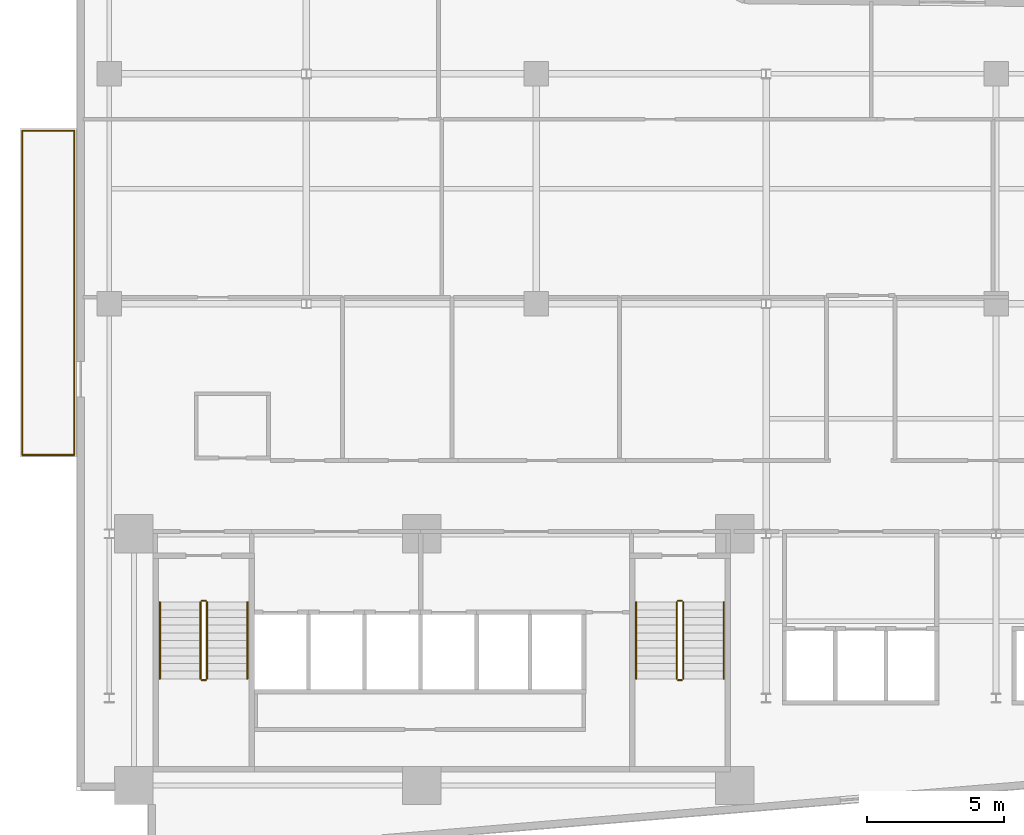
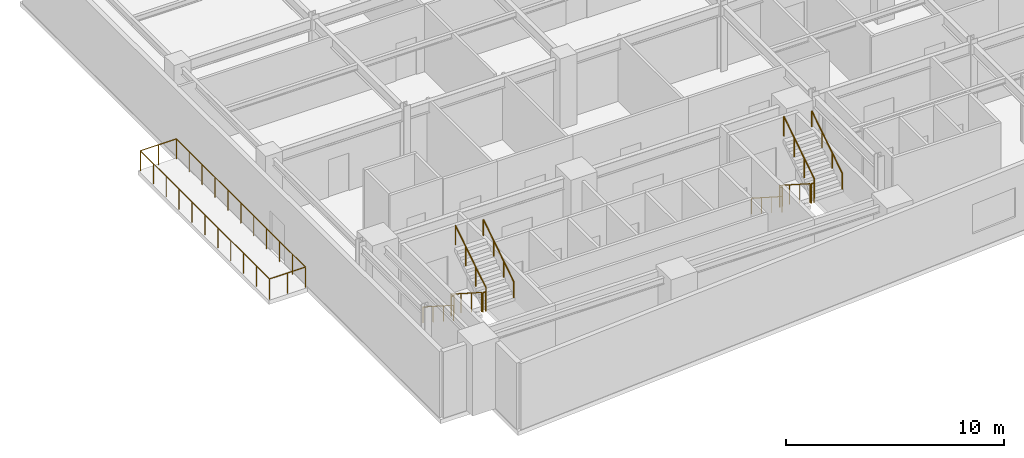
# One storey, part 17 of 20: 16 railings.
"""IFC4 building model written with IfcOpenShell, lengths in metres."""

from ifc_helpers import new_model, si_unit, direction, frame, origin, origin_2d, place, context, subcontext, project, spatial, circle, extrude, material, type_object, element, save


model = new_model("IFC4")

# Units and contexts
model_context = context("Model", 3, precision=1e-05, world=origin(), true_north=direction((0.0, 1.0)))
body_context = subcontext(model_context, "Body", "Model", "MODEL_VIEW")
ifc_project = project(units=[si_unit("LENGTHUNIT", "METRE"), si_unit("AREAUNIT", "SQUARE_METRE"), si_unit("VOLUMEUNIT", "CUBIC_METRE"), si_unit("PLANEANGLEUNIT", "RADIAN"), si_unit("MASSUNIT", "GRAM", prefix="KILO")], contexts=[model_context])

# Site, building, storey
site_placement = place(None, origin())
site = spatial("IfcSite", under=ifc_project, at=site_placement, CompositionType="ELEMENT")
building_placement = place(site_placement, origin())
building = spatial("IfcBuilding", under=site, at=building_placement, Name="Varnakote Quay Hospital", CompositionType="ELEMENT")
storey_placement = place(building_placement, frame((0.0, 0.0, 46.199951171875)))
storey = spatial("IfcBuildingStorey", under=building, at=storey_placement, Name="L11", CompositionType="ELEMENT", Elevation=46.199951171875)

# Railings
ifc_material_1 = material(Name="Anodised aluminium 6063-T6 Bronze", Category="aluminium")
railing_type_1 = type_object("IfcRailingType", Name="RLG-EXT-GUARD-1150", PredefinedType="GUARDRAIL", material=ifc_material_1)
railing_1_placement = place(storey_placement, frame((-0.075927734375, 14.8798828125, 0.0)))
element("IfcRailing", 1, at=railing_1_placement, inside=storey, type_object=railing_type_1, Name="L11 Zigzag Prow Healing Terrace Safety Guard", PredefinedType="GUARDRAIL", context=body_context, shape_type="SweptSolid", body=[
    extrude(circle(Radius=0.02392578125, at=origin_2d()), frame((0.0, 0.0, 1.1259765625), z_axis=(-1.0, 0.0, 0.0), x_axis=(0.0, -1.0, 0.0)), (0.0, 0.0, 1.0), 1.904052734375),
    extrude(circle(Radius=0.02099609375, at=origin_2d()), origin(), (0.0, 0.0, 1.0), 1.101806640625),
    extrude(circle(Radius=0.02099609375, at=origin_2d()), frame((-0.9521484375, 0.0, 0.0)), (0.0, 0.0, 1.0), 1.101806640625),
    extrude(circle(Radius=0.02099609375, at=origin_2d()), frame((-1.904052734375, 0.0, 0.0)), (0.0, 0.0, 1.0), 1.101806640625),
])
railing_2_placement = place(storey_placement, frame((-1.97998046875, 14.8798828125, 0.0)))
element("IfcRailing", 2, at=railing_2_placement, inside=storey, type_object=railing_type_1, Name="L11 Zigzag Prow Healing Terrace Safety Guard", PredefinedType="GUARDRAIL", context=body_context, shape_type="SweptSolid", body=[
    extrude(circle(Radius=0.02392578125, at=origin_2d()), frame((0.0, 0.0, 1.1259765625), z_axis=(0.0, 1.0, 0.0), x_axis=(-1.0, 0.0, 0.0)), (0.0, 0.0, 1.0), 11.840087890625),
    extrude(circle(Radius=0.02099609375, at=origin_2d()), origin(), (0.0, 0.0, 1.0), 1.101806640625),
    extrude(circle(Radius=0.02099609375, at=origin_2d()), frame((0.0, 1.18408203125, 0.0)), (0.0, 0.0, 1.0), 1.101806640625),
    extrude(circle(Radius=0.02099609375, at=origin_2d()), frame((0.0, 2.367919921875, 0.0)), (0.0, 0.0, 1.0), 1.101806640625),
    extrude(circle(Radius=0.02099609375, at=origin_2d()), frame((0.0, 3.552001953125, 0.0)), (0.0, 0.0, 1.0), 1.101806640625),
    extrude(circle(Radius=0.02099609375, at=origin_2d()), frame((0.0, 4.736083984375, 0.0)), (0.0, 0.0, 1.0), 1.101806640625),
    extrude(circle(Radius=0.02099609375, at=origin_2d()), frame((0.0, 5.919921875, 0.0)), (0.0, 0.0, 1.0), 1.101806640625),
    extrude(circle(Radius=0.02099609375, at=origin_2d()), frame((0.0, 7.10400390625, 0.0)), (0.0, 0.0, 1.0), 1.101806640625),
    extrude(circle(Radius=0.02099609375, at=origin_2d()), frame((0.0, 8.2880859375, 0.0)), (0.0, 0.0, 1.0), 1.101806640625),
    extrude(circle(Radius=0.02099609375, at=origin_2d()), frame((0.0, 9.47216796875, 0.0)), (0.0, 0.0, 1.0), 1.101806640625),
    extrude(circle(Radius=0.02099609375, at=origin_2d()), frame((0.0, 10.656005859375, 0.0)), (0.0, 0.0, 1.0), 1.101806640625),
    extrude(circle(Radius=0.02099609375, at=origin_2d()), frame((0.0, 11.840087890625, 0.0)), (0.0, 0.0, 1.0), 1.101806640625),
])
railing_3_placement = place(storey_placement, frame((-1.97998046875, 26.719970703125, 0.0)))
element("IfcRailing", 3, at=railing_3_placement, inside=storey, type_object=railing_type_1, Name="L11 Zigzag Prow Healing Terrace Safety Guard", PredefinedType="GUARDRAIL", context=body_context, shape_type="SweptSolid", body=[
    extrude(circle(Radius=0.02392578125, at=origin_2d()), frame((0.0, 0.0, 1.1259765625), z_axis=(1.0, 0.0, 0.0), x_axis=(0.0, 1.0, 0.0)), (0.0, 0.0, 1.0), 1.904052734375),
    extrude(circle(Radius=0.02099609375, at=origin_2d()), origin(), (0.0, 0.0, 1.0), 1.101806640625),
    extrude(circle(Radius=0.02099609375, at=origin_2d()), frame((0.9521484375, 0.0, 0.0)), (0.0, 0.0, 1.0), 1.101806640625),
    extrude(circle(Radius=0.02099609375, at=origin_2d()), frame((1.904052734375, 0.0, 0.0)), (0.0, 0.0, 1.0), 1.101806640625),
])
railing_4_placement = place(storey_placement, frame((-0.075927734375, 26.719970703125, 0.0)))
element("IfcRailing", 4, at=railing_4_placement, inside=storey, type_object=railing_type_1, Name="L11 Zigzag Prow Healing Terrace Safety Guard", PredefinedType="GUARDRAIL", context=body_context, shape_type="SweptSolid", body=[
    extrude(circle(Radius=0.02392578125, at=origin_2d()), frame((0.0, 0.0, 1.1259765625), z_axis=(0.0, -1.0, 0.0), x_axis=(1.0, 0.0, 0.0)), (0.0, 0.0, 1.0), 11.840087890625),
    extrude(circle(Radius=0.02099609375, at=origin_2d()), origin(), (0.0, 0.0, 1.0), 1.101806640625),
    extrude(circle(Radius=0.02099609375, at=origin_2d()), frame((0.0, -1.18408203125, 0.0)), (0.0, 0.0, 1.0), 1.101806640625),
    extrude(circle(Radius=0.02099609375, at=origin_2d()), frame((0.0, -2.367919921875, 0.0)), (0.0, 0.0, 1.0), 1.101806640625),
    extrude(circle(Radius=0.02099609375, at=origin_2d()), frame((0.0, -3.552001953125, 0.0)), (0.0, 0.0, 1.0), 1.101806640625),
    extrude(circle(Radius=0.02099609375, at=origin_2d()), frame((0.0, -4.736083984375, 0.0)), (0.0, 0.0, 1.0), 1.101806640625),
    extrude(circle(Radius=0.02099609375, at=origin_2d()), frame((0.0, -5.919921875, 0.0)), (0.0, 0.0, 1.0), 1.101806640625),
    extrude(circle(Radius=0.02099609375, at=origin_2d()), frame((0.0, -7.10400390625, 0.0)), (0.0, 0.0, 1.0), 1.101806640625),
    extrude(circle(Radius=0.02099609375, at=origin_2d()), frame((0.0, -8.2880859375, 0.0)), (0.0, 0.0, 1.0), 1.101806640625),
    extrude(circle(Radius=0.02099609375, at=origin_2d()), frame((0.0, -9.47216796875, 0.0)), (0.0, 0.0, 1.0), 1.101806640625),
    extrude(circle(Radius=0.02099609375, at=origin_2d()), frame((0.0, -10.656005859375, 0.0)), (0.0, 0.0, 1.0), 1.101806640625),
    extrude(circle(Radius=0.02099609375, at=origin_2d()), frame((0.0, -11.840087890625, 0.0)), (0.0, 0.0, 1.0), 1.101806640625),
])
ifc_material_2 = material(Name="Brushed stainless steel balustrade", Category="steel")
railing_type_2 = type_object("IfcRailingType", Name="RLG-STAIR-GUARD-1150", PredefinedType="GUARDRAIL", material=ifc_material_2)
railing_5_placement = place(storey_placement, frame((4.530029296875, 9.5, 0.1796875)))
element("IfcRailing", 5, at=railing_5_placement, inside=storey, type_object=railing_type_2, Name="L11 ST-01 stair guard 1", PredefinedType="GUARDRAIL", context=body_context, shape_type="SweptSolid", body=[
    extrude(circle(Radius=0.02392578125, at=origin_2d()), frame((0.0, 0.0, 1.076171875), z_axis=(0.0, -0.841809871826, 0.539774156196), x_axis=(1.0, 0.0, 0.0)), (0.0, 0.0, 1.0), 3.326171875),
    extrude(circle(Radius=0.02099609375, at=origin_2d()), origin(), (0.0, 0.0, 1.0), 1.052001953125),
    extrude(circle(Radius=0.02099609375, at=origin_2d()), frame((0.0, -0.933349609375, 0.598388671875)), (0.0, 0.0, 1.0), 1.052001953125),
    extrude(circle(Radius=0.02099609375, at=origin_2d()), frame((0.0, -1.86669921875, 1.197021484375)), (0.0, 0.0, 1.0), 1.052001953125),
    extrude(circle(Radius=0.02099609375, at=origin_2d()), frame((0.0, -2.800048828125, 1.79541015625)), (0.0, 0.0, 1.0), 1.052001953125),
])
railing_6_placement = place(storey_placement, frame((4.580078125, 6.64990234375, 1.97509765625)))
element("IfcRailing", 6, at=railing_6_placement, inside=storey, type_object=railing_type_2, Name="L11 ST-01 stair guard 2", PredefinedType="GUARDRAIL", context=body_context, shape_type="SweptSolid", body=[
    extrude(circle(Radius=0.02392578125, at=origin_2d()), frame((0.0, 0.0, 1.076171875), z_axis=(1.0, 0.0, 0.0), x_axis=(0.0, 1.0, 0.0)), (0.0, 0.0, 1.0), 0.139892578125),
    extrude(circle(Radius=0.02099609375, at=origin_2d()), origin(), (0.0, 0.0, 1.0), 1.052001953125),
    extrude(circle(Radius=0.02099609375, at=origin_2d()), frame((0.139892578125, 0.0, 0.0)), (0.0, 0.0, 1.0), 1.052001953125),
])
railing_7_placement = place(storey_placement, frame((4.77001953125, 6.699951171875, 2.154541015625)))
element("IfcRailing", 7, at=railing_7_placement, inside=storey, type_object=railing_type_2, Name="L11 ST-01 stair guard 3", PredefinedType="GUARDRAIL", context=body_context, shape_type="SweptSolid", body=[
    extrude(circle(Radius=0.02392578125, at=origin_2d()), frame((0.0, 0.0, 1.076171875), z_axis=(0.0, 0.841809871826, 0.539774156196), x_axis=(-1.0, 0.0, 0.0)), (0.0, 0.0, 1.0), 3.326171875),
    extrude(circle(Radius=0.02099609375, at=origin_2d()), origin(), (0.0, 0.0, 1.0), 1.052001953125),
    extrude(circle(Radius=0.02099609375, at=origin_2d()), frame((0.0, 0.933349609375, 0.598388671875)), (0.0, 0.0, 1.0), 1.052001953125),
    extrude(circle(Radius=0.02099609375, at=origin_2d()), frame((0.0, 1.86669921875, 1.197021484375)), (0.0, 0.0, 1.0), 1.052001953125),
    extrude(circle(Radius=0.02099609375, at=origin_2d()), frame((0.0, 2.800048828125, 1.79541015625)), (0.0, 0.0, 1.0), 1.052001953125),
])
railing_8_placement = place(storey_placement, frame((4.580078125, 9.550048828125, 0.0)))
element("IfcRailing", 8, at=railing_8_placement, inside=storey, type_object=railing_type_2, Name="L11 ST-01 stair guard 4", PredefinedType="GUARDRAIL", context=body_context, shape_type="SweptSolid", body=[
    extrude(circle(Radius=0.02392578125, at=origin_2d()), frame((0.0, 0.0, 1.076171875), z_axis=(1.0, 0.0, 0.0), x_axis=(0.0, 1.0, 0.0)), (0.0, 0.0, 1.0), 0.139892578125),
    extrude(circle(Radius=0.02099609375, at=origin_2d()), origin(), (0.0, 0.0, 1.0), 1.052001953125),
    extrude(circle(Radius=0.02099609375, at=origin_2d()), frame((0.139892578125, 0.0, 0.0)), (0.0, 0.0, 1.0), 1.052001953125),
])
railing_9_placement = place(storey_placement, frame((21.929931640625, 9.5, 0.1796875)))
element("IfcRailing", 9, at=railing_9_placement, inside=storey, type_object=railing_type_2, Name="L11 ST-02 stair guard 1", PredefinedType="GUARDRAIL", context=body_context, shape_type="SweptSolid", body=[
    extrude(circle(Radius=0.02392578125, at=origin_2d()), frame((0.0, 0.0, 1.076171875), z_axis=(0.0, -0.841809871826, 0.539774156196), x_axis=(1.0, 0.0, 0.0)), (0.0, 0.0, 1.0), 3.326171875),
    extrude(circle(Radius=0.02099609375, at=origin_2d()), origin(), (0.0, 0.0, 1.0), 1.052001953125),
    extrude(circle(Radius=0.02099609375, at=origin_2d()), frame((0.0, -0.933349609375, 0.598388671875)), (0.0, 0.0, 1.0), 1.052001953125),
    extrude(circle(Radius=0.02099609375, at=origin_2d()), frame((0.0, -1.86669921875, 1.197021484375)), (0.0, 0.0, 1.0), 1.052001953125),
    extrude(circle(Radius=0.02099609375, at=origin_2d()), frame((0.0, -2.800048828125, 1.79541015625)), (0.0, 0.0, 1.0), 1.052001953125),
])
railing_10_placement = place(storey_placement, frame((21.97998046875, 6.64990234375, 1.97509765625)))
element("IfcRailing", 10, at=railing_10_placement, inside=storey, type_object=railing_type_2, Name="L11 ST-02 stair guard 2", PredefinedType="GUARDRAIL", context=body_context, shape_type="SweptSolid", body=[
    extrude(circle(Radius=0.02392578125, at=origin_2d()), frame((0.0, 0.0, 1.076171875), z_axis=(1.0, 0.0, 0.0), x_axis=(0.0, 1.0, 0.0)), (0.0, 0.0, 1.0), 0.14013671875),
    extrude(circle(Radius=0.02099609375, at=origin_2d()), origin(), (0.0, 0.0, 1.0), 1.052001953125),
    extrude(circle(Radius=0.02099609375, at=origin_2d()), frame((0.14013671875, 0.0, 0.0)), (0.0, 0.0, 1.0), 1.052001953125),
])
railing_11_placement = place(storey_placement, frame((22.169921875, 6.699951171875, 2.154541015625)))
element("IfcRailing", 11, at=railing_11_placement, inside=storey, type_object=railing_type_2, Name="L11 ST-02 stair guard 3", PredefinedType="GUARDRAIL", context=body_context, shape_type="SweptSolid", body=[
    extrude(circle(Radius=0.02392578125, at=origin_2d()), frame((0.0, 0.0, 1.076171875), z_axis=(0.0, 0.841809871826, 0.539774156196), x_axis=(-1.0, 0.0, 0.0)), (0.0, 0.0, 1.0), 3.326171875),
    extrude(circle(Radius=0.02099609375, at=origin_2d()), origin(), (0.0, 0.0, 1.0), 1.052001953125),
    extrude(circle(Radius=0.02099609375, at=origin_2d()), frame((0.0, 0.933349609375, 0.598388671875)), (0.0, 0.0, 1.0), 1.052001953125),
    extrude(circle(Radius=0.02099609375, at=origin_2d()), frame((0.0, 1.86669921875, 1.197021484375)), (0.0, 0.0, 1.0), 1.052001953125),
    extrude(circle(Radius=0.02099609375, at=origin_2d()), frame((0.0, 2.800048828125, 1.79541015625)), (0.0, 0.0, 1.0), 1.052001953125),
])
railing_12_placement = place(storey_placement, frame((21.97998046875, 9.550048828125, 0.0)))
element("IfcRailing", 12, at=railing_12_placement, inside=storey, type_object=railing_type_2, Name="L11 ST-02 stair guard 4", PredefinedType="GUARDRAIL", context=body_context, shape_type="SweptSolid", body=[
    extrude(circle(Radius=0.02392578125, at=origin_2d()), frame((0.0, 0.0, 1.076171875), z_axis=(1.0, 0.0, 0.0), x_axis=(0.0, 1.0, 0.0)), (0.0, 0.0, 1.0), 0.14013671875),
    extrude(circle(Radius=0.02099609375, at=origin_2d()), origin(), (0.0, 0.0, 1.0), 1.052001953125),
    extrude(circle(Radius=0.02099609375, at=origin_2d()), frame((0.14013671875, 0.0, 0.0)), (0.0, 0.0, 1.0), 1.052001953125),
])
ifc_material_3 = material(Name="Brushed stainless steel handrail", Category="steel")
railing_type_3 = type_object("IfcRailingType", Name="RLG-STAIR-HND-920", PredefinedType="HANDRAIL", material=ifc_material_3)
railing_13_placement = place(storey_placement, frame((3.050048828125, 9.5, 0.1796875)))
element("IfcRailing", 13, at=railing_13_placement, inside=storey, type_object=railing_type_3, Name="L11 ST-01 stair handrail 1", PredefinedType="HANDRAIL", context=body_context, shape_type="SweptSolid", body=[
    extrude(circle(Radius=0.02392578125, at=origin_2d()), frame((0.0, 0.0, 0.8759765625), z_axis=(0.0, -0.841809871826, 0.539774156196), x_axis=(1.0, 0.0, 0.0)), (0.0, 0.0, 1.0), 3.326171875),
    extrude(circle(Radius=0.02099609375, at=origin_2d()), origin(), (0.0, 0.0, 1.0), 0.851806640625),
    extrude(circle(Radius=0.02099609375, at=origin_2d()), frame((0.0, -0.933349609375, 0.598388671875)), (0.0, 0.0, 1.0), 0.851806640625),
    extrude(circle(Radius=0.02099609375, at=origin_2d()), frame((0.0, -1.86669921875, 1.197021484375)), (0.0, 0.0, 1.0), 0.851806640625),
    extrude(circle(Radius=0.02099609375, at=origin_2d()), frame((0.0, -2.800048828125, 1.79541015625)), (0.0, 0.0, 1.0), 0.851806640625),
])
railing_14_placement = place(storey_placement, frame((6.25, 6.699951171875, 2.154541015625)))
element("IfcRailing", 14, at=railing_14_placement, inside=storey, type_object=railing_type_3, Name="L11 ST-01 stair handrail 2", PredefinedType="HANDRAIL", context=body_context, shape_type="SweptSolid", body=[
    extrude(circle(Radius=0.02392578125, at=origin_2d()), frame((0.0, 0.0, 0.8759765625), z_axis=(0.0, 0.841809871826, 0.539774156196), x_axis=(-1.0, 0.0, 0.0)), (0.0, 0.0, 1.0), 3.326171875),
    extrude(circle(Radius=0.02099609375, at=origin_2d()), origin(), (0.0, 0.0, 1.0), 0.851806640625),
    extrude(circle(Radius=0.02099609375, at=origin_2d()), frame((0.0, 0.933349609375, 0.598388671875)), (0.0, 0.0, 1.0), 0.851806640625),
    extrude(circle(Radius=0.02099609375, at=origin_2d()), frame((0.0, 1.86669921875, 1.197021484375)), (0.0, 0.0, 1.0), 0.851806640625),
    extrude(circle(Radius=0.02099609375, at=origin_2d()), frame((0.0, 2.800048828125, 1.79541015625)), (0.0, 0.0, 1.0), 0.851806640625),
])
railing_15_placement = place(storey_placement, frame((20.449951171875, 9.5, 0.1796875)))
element("IfcRailing", 15, at=railing_15_placement, inside=storey, type_object=railing_type_3, Name="L11 ST-02 stair handrail 1", PredefinedType="HANDRAIL", context=body_context, shape_type="SweptSolid", body=[
    extrude(circle(Radius=0.02392578125, at=origin_2d()), frame((0.0, 0.0, 0.8759765625), z_axis=(0.0, -0.841809871826, 0.539774156196), x_axis=(1.0, 0.0, 0.0)), (0.0, 0.0, 1.0), 3.326171875),
    extrude(circle(Radius=0.02099609375, at=origin_2d()), origin(), (0.0, 0.0, 1.0), 0.851806640625),
    extrude(circle(Radius=0.02099609375, at=origin_2d()), frame((0.0, -0.933349609375, 0.598388671875)), (0.0, 0.0, 1.0), 0.851806640625),
    extrude(circle(Radius=0.02099609375, at=origin_2d()), frame((0.0, -1.86669921875, 1.197021484375)), (0.0, 0.0, 1.0), 0.851806640625),
    extrude(circle(Radius=0.02099609375, at=origin_2d()), frame((0.0, -2.800048828125, 1.79541015625)), (0.0, 0.0, 1.0), 0.851806640625),
])
railing_16_placement = place(storey_placement, frame((23.64990234375, 6.699951171875, 2.154541015625)))
element("IfcRailing", 16, at=railing_16_placement, inside=storey, type_object=railing_type_3, Name="L11 ST-02 stair handrail 2", PredefinedType="HANDRAIL", context=body_context, shape_type="SweptSolid", body=[
    extrude(circle(Radius=0.02392578125, at=origin_2d()), frame((0.0, 0.0, 0.8759765625), z_axis=(0.0, 0.841809871826, 0.539774156196), x_axis=(-1.0, 0.0, 0.0)), (0.0, 0.0, 1.0), 3.326171875),
    extrude(circle(Radius=0.02099609375, at=origin_2d()), origin(), (0.0, 0.0, 1.0), 0.851806640625),
    extrude(circle(Radius=0.02099609375, at=origin_2d()), frame((0.0, 0.933349609375, 0.598388671875)), (0.0, 0.0, 1.0), 0.851806640625),
    extrude(circle(Radius=0.02099609375, at=origin_2d()), frame((0.0, 1.86669921875, 1.197021484375)), (0.0, 0.0, 1.0), 0.851806640625),
    extrude(circle(Radius=0.02099609375, at=origin_2d()), frame((0.0, 2.800048828125, 1.79541015625)), (0.0, 0.0, 1.0), 0.851806640625),
])

save(model, "model.ifc")
